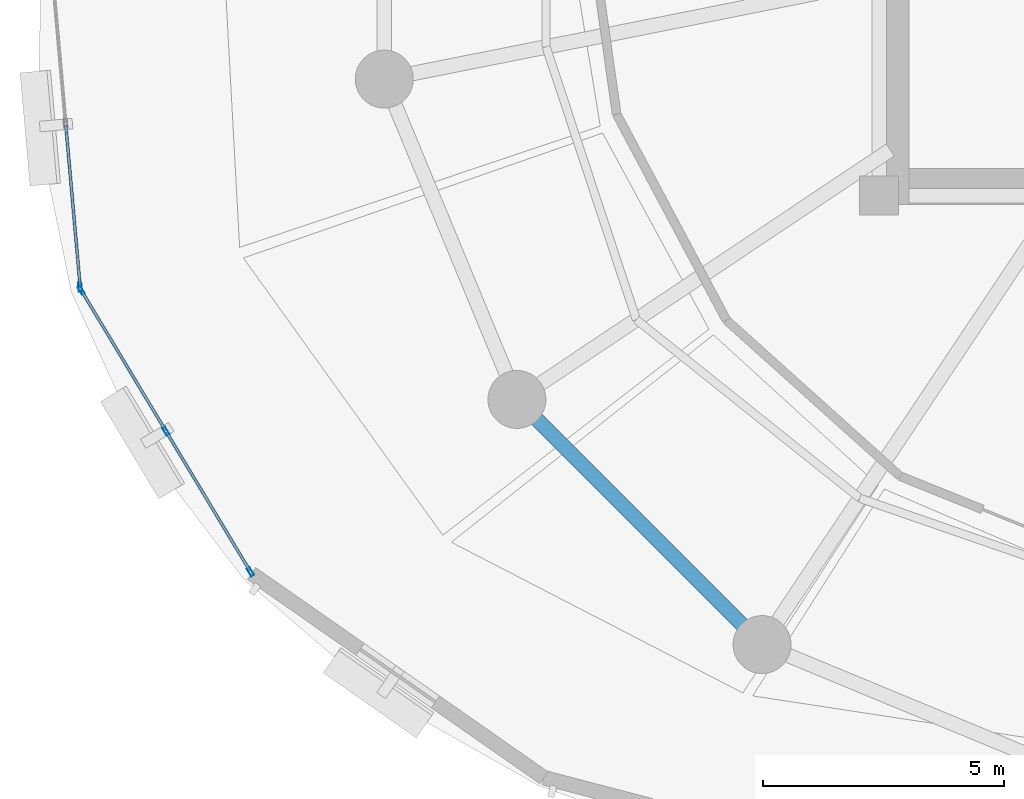
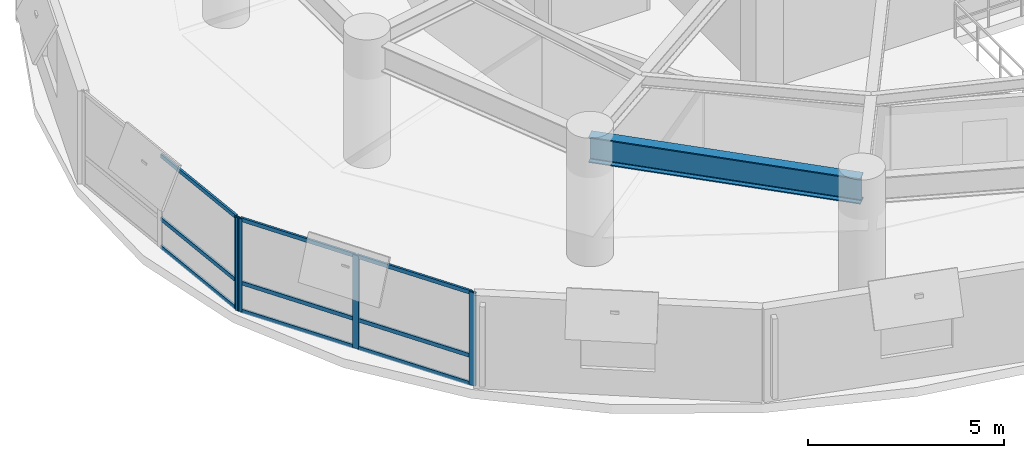
# One storey, part 2 of 15: 13 members, 1 beam, 2 elements without a shape of their own.
"""IFC4 building model written with IfcOpenShell, lengths in metres."""

from ifc_helpers import new_model, si_unit, direction, frame, origin, origin_2d, place, context, subcontext, project, spatial, hollow_rectangle, i_section, extrude, material, layer, layer_set, material_profile, profile_set, type_object, element, aggregate, save


model = new_model("IFC4")

# Units and contexts
model_context = context("Model", 3, precision=1e-05, world=origin(), true_north=direction((0.0, 1.0)))
body_context = subcontext(model_context, "Body", "Model", "MODEL_VIEW")
ifc_project = project(units=[si_unit("LENGTHUNIT", "METRE"), si_unit("AREAUNIT", "SQUARE_METRE"), si_unit("VOLUMEUNIT", "CUBIC_METRE"), si_unit("PLANEANGLEUNIT", "RADIAN"), si_unit("MASSUNIT", "GRAM", prefix="KILO"), si_unit("THERMODYNAMICTEMPERATUREUNIT", "KELVIN"), si_unit("POWERUNIT", "WATT")], contexts=[model_context])

# Site, building, storey
site_placement = place(None, origin())
site = spatial("IfcSite", under=ifc_project, at=site_placement, CompositionType="ELEMENT")
building_placement = place(site_placement, origin())
building = spatial("IfcBuilding", under=site, at=building_placement, Name="Ocrelia Relay Tower", CompositionType="ELEMENT")
storey_placement = place(building_placement, frame((0.0, 0.0, 109.800048828125)))
storey = spatial("IfcBuildingStorey", under=building, at=storey_placement, Name="L25", CompositionType="ELEMENT", Elevation=109.800048828125)

# Beam
ifc_material_1 = material(Name="Steel S355", Category="steel")
ifc_material_profile_1 = material_profile(ifc_material_1, i_section(OverallWidth=0.300048828125, OverallDepth=0.800048828125, WebThickness=0.017578125, FlangeThickness=0.032958984375, FilletRadius=0.030029296875, at=origin_2d()), Name="HEB 800")
ifc_profile_set_1 = profile_set([ifc_material_profile_1], Name="Steel S355")
beam_type = type_object("IfcBeamType", Name="BM-HEB800", PredefinedType="BEAM", material=ifc_profile_set_1)
beam_placement = place(storey_placement, frame((18.700927734375, 15.777587890625, 3.320068359375), z_axis=(0.707106781187, -0.707106781187, 0.0), x_axis=(0.707106781187, 0.707106781187, 0.0)))
element("IfcBeam", 1, at=beam_placement, inside=storey, type_object=beam_type, Name="L25 Perimeter Spandrel Beam S10", PredefinedType="BEAM", context=body_context, shape_type="SweptSolid", body=[
    extrude(i_section(OverallWidth=0.300048828125, OverallDepth=0.800048828125, WebThickness=0.017578125, FlangeThickness=0.032958984375, FilletRadius=0.030029296875, at=origin_2d()), origin(), (0.0, 0.0, 1.0), 7.179443359375),
])

# Curtain wall, member
ifc_material_2 = material(Name="Aluminium and solar-control low-E glass", Category="aluminium")
ifc_layer = layer(ifc_material_2, 0.179931640625, Name="Aluminium and solar-control low-E glass")
ifc_layer_set = layer_set([ifc_layer], Name="Aluminium and solar-control low-E glass")
curtain_wall_type = type_object("IfcCurtainWallType", Name="CW-SYS-Z2-SWIT", PredefinedType="NOTDEFINED", material=ifc_layer_set)
curtain_wall_1_placement = place(storey_placement, origin())
curtain_wall_1 = element("IfcCurtainWall", 2, at=curtain_wall_1_placement, inside=storey, type_object=curtain_wall_type, Name="L25 Elliptical Tower Curtain Wall Bay 09", PredefinedType="NOTDEFINED")
ifc_material_3 = material(Name="Anodised bronze aluminium", Category="aluminium")
ifc_material_profile_2 = material_profile(ifc_material_3, hollow_rectangle(XDim=0.070068359375, YDim=0.179931640625, WallThickness=0.006103515625, at=origin_2d()), Name="CW-MUL-180x70")
ifc_profile_set_2 = profile_set([ifc_material_profile_2], Name="Anodised bronze aluminium")
member_type_1 = type_object("IfcMemberType", Name="CW-SYS-Z2-SWIT-MUL", PredefinedType="MULLION", material=ifc_profile_set_2)
member_1_placement = place(storey_placement, frame((9.65673828125, 18.102783203125, 0.0), z_axis=(0.0, 0.0, 1.0), x_axis=(0.996071045123, 0.088557738612, 0.0)))
member_1 = element("IfcMember", 3, at=member_1_placement, type_object=member_type_1, Name="CW-Z2 mullion 3", PredefinedType="MULLION", context=body_context, shape_type="SweptSolid", body=[
    extrude(hollow_rectangle(XDim=0.070068359375, YDim=0.179931640625, WallThickness=0.006103515625, at=origin_2d()), origin(), (0.0, 0.0, 1.0), 2.89990234375),
])

# Curtain wall, members
curtain_wall_2_placement = place(storey_placement, origin())
curtain_wall_2 = element("IfcCurtainWall", 4, at=curtain_wall_2_placement, inside=storey, type_object=curtain_wall_type, Name="L25 Elliptical Tower Curtain Wall Bay 10", PredefinedType="NOTDEFINED")
member_2_placement = place(storey_placement, frame((9.677978515625, 18.037841796875, 0.0), z_axis=(0.0, 0.0, 1.0), x_axis=(0.856997416901, 0.51532070347, 0.0)))
member_2 = element("IfcMember", 5, at=member_2_placement, type_object=member_type_1, Name="CW-Z2 mullion 1", PredefinedType="MULLION", context=body_context, shape_type="SweptSolid", body=[
    extrude(hollow_rectangle(XDim=0.070068359375, YDim=0.179931640625, WallThickness=0.006103515625, at=origin_2d()), origin(), (0.0, 0.0, 1.0), 2.89990234375),
])
member_3_placement = place(storey_placement, frame((11.432373046875, 15.120361328125, 0.0), z_axis=(0.0, 0.0, 1.0), x_axis=(0.856997416901, 0.51532070347, 0.0)))
member_3 = element("IfcMember", 6, at=member_3_placement, type_object=member_type_1, Name="CW-Z2 mullion 2", PredefinedType="MULLION", context=body_context, shape_type="SweptSolid", body=[
    extrude(hollow_rectangle(XDim=0.070068359375, YDim=0.179931640625, WallThickness=0.006103515625, at=origin_2d()), origin(), (0.0, 0.0, 1.0), 2.89990234375),
])
member_4_placement = place(storey_placement, frame((13.186767578125, 12.20263671875, 0.0), z_axis=(0.0, 0.0, 1.0), x_axis=(0.856997416901, 0.51532070347, 0.0)))
member_4 = element("IfcMember", 7, at=member_4_placement, type_object=member_type_1, Name="CW-Z2 mullion 3", PredefinedType="MULLION", context=body_context, shape_type="SweptSolid", body=[
    extrude(hollow_rectangle(XDim=0.070068359375, YDim=0.179931640625, WallThickness=0.006103515625, at=origin_2d()), origin(), (0.0, 0.0, 1.0), 2.89990234375),
])

# Member
ifc_material_profile_3 = material_profile(ifc_material_3, hollow_rectangle(XDim=0.06005859375, YDim=0.1201171875, WallThickness=0.0048828125, at=origin_2d()), Name="CW-TRN-120x60")
ifc_profile_set_3 = profile_set([ifc_material_profile_3], Name="Anodised bronze aluminium")
member_type_2 = type_object("IfcMemberType", Name="CW-SYS-Z2-SWIT-TRN", PredefinedType="USERDEFINED", material=ifc_profile_set_3)
member_5_placement = place(storey_placement, frame((9.3583984375, 21.458984375, 0.030029296875), z_axis=(0.0885946773, -0.996067760323, 0.0), x_axis=(0.996067760323, 0.0885946773, 0.0)))
member_5 = element("IfcMember", 8, at=member_5_placement, type_object=member_type_2, Name="CW-Z2 transom 2.1", ObjectType="TRANSOM", PredefinedType="USERDEFINED", context=body_context, shape_type="SweptSolid", body=[
    extrude(hollow_rectangle(XDim=0.06005859375, YDim=0.1201171875, WallThickness=0.0048828125, at=origin_2d()), origin(), (0.0, 0.0, 1.0), 3.33447265625),
])

member_6_placement = place(storey_placement, frame((9.3583984375, 21.458984375, 0.89990234375), z_axis=(0.0885946773, -0.996067760323, 0.0), x_axis=(0.996067760323, 0.0885946773, 0.0)))
member_6 = element("IfcMember", 9, at=member_6_placement, type_object=member_type_2, Name="CW-Z2 transom 2.2", ObjectType="TRANSOM", PredefinedType="USERDEFINED", context=body_context, shape_type="SweptSolid", body=[
    extrude(hollow_rectangle(XDim=0.06005859375, YDim=0.1201171875, WallThickness=0.0048828125, at=origin_2d()), origin(), (0.0, 0.0, 1.0), 3.33447265625),
])

member_7_placement = place(storey_placement, frame((9.3583984375, 21.458984375, 2.869873046875), z_axis=(0.0885946773, -0.996067760323, 0.0), x_axis=(0.996067760323, 0.0885946773, 0.0)))
member_7 = element("IfcMember", 10, at=member_7_placement, type_object=member_type_2, Name="CW-Z2 transom 2.3", ObjectType="TRANSOM", PredefinedType="USERDEFINED", context=body_context, shape_type="SweptSolid", body=[
    extrude(hollow_rectangle(XDim=0.06005859375, YDim=0.1201171875, WallThickness=0.0048828125, at=origin_2d()), origin(), (0.0, 0.0, 1.0), 3.33447265625),
])

aggregate(curtain_wall_1, [member_1, member_5, member_6, member_7])

member_8_placement = place(storey_placement, frame((9.696044921875, 18.0078125, 0.030029296875), z_axis=(0.515303070577, -0.857008019481, 0.0), x_axis=(0.857008019481, 0.515303070577, 0.0)))
member_8 = element("IfcMember", 11, at=member_8_placement, type_object=member_type_2, Name="CW-Z2 transom 1.1", ObjectType="TRANSOM", PredefinedType="USERDEFINED", context=body_context, shape_type="SweptSolid", body=[
    extrude(hollow_rectangle(XDim=0.06005859375, YDim=0.1201171875, WallThickness=0.0048828125, at=origin_2d()), origin(), (0.0, 0.0, 1.0), 3.33447265625),
])

member_9_placement = place(storey_placement, frame((9.696044921875, 18.0078125, 0.89990234375), z_axis=(0.515303070577, -0.857008019481, 0.0), x_axis=(0.857008019481, 0.515303070577, 0.0)))
member_9 = element("IfcMember", 12, at=member_9_placement, type_object=member_type_2, Name="CW-Z2 transom 1.2", ObjectType="TRANSOM", PredefinedType="USERDEFINED", context=body_context, shape_type="SweptSolid", body=[
    extrude(hollow_rectangle(XDim=0.06005859375, YDim=0.1201171875, WallThickness=0.0048828125, at=origin_2d()), origin(), (0.0, 0.0, 1.0), 3.33447265625),
])

member_10_placement = place(storey_placement, frame((9.696044921875, 18.0078125, 2.869873046875), z_axis=(0.515303070577, -0.857008019481, 0.0), x_axis=(0.857008019481, 0.515303070577, 0.0)))
member_10 = element("IfcMember", 13, at=member_10_placement, type_object=member_type_2, Name="CW-Z2 transom 1.3", ObjectType="TRANSOM", PredefinedType="USERDEFINED", context=body_context, shape_type="SweptSolid", body=[
    extrude(hollow_rectangle(XDim=0.06005859375, YDim=0.1201171875, WallThickness=0.0048828125, at=origin_2d()), origin(), (0.0, 0.0, 1.0), 3.33447265625),
])

member_11_placement = place(storey_placement, frame((11.450439453125, 15.09033203125, 0.030029296875), z_axis=(0.515303070577, -0.857008019481, 0.0), x_axis=(0.857008019481, 0.515303070577, 0.0)))
member_11 = element("IfcMember", 14, at=member_11_placement, type_object=member_type_2, Name="CW-Z2 transom 2.1", ObjectType="TRANSOM", PredefinedType="USERDEFINED", context=body_context, shape_type="SweptSolid", body=[
    extrude(hollow_rectangle(XDim=0.06005859375, YDim=0.1201171875, WallThickness=0.0048828125, at=origin_2d()), origin(), (0.0, 0.0, 1.0), 3.33447265625),
])

member_12_placement = place(storey_placement, frame((11.450439453125, 15.09033203125, 0.89990234375), z_axis=(0.515303070577, -0.857008019481, 0.0), x_axis=(0.857008019481, 0.515303070577, 0.0)))
member_12 = element("IfcMember", 15, at=member_12_placement, type_object=member_type_2, Name="CW-Z2 transom 2.2", ObjectType="TRANSOM", PredefinedType="USERDEFINED", context=body_context, shape_type="SweptSolid", body=[
    extrude(hollow_rectangle(XDim=0.06005859375, YDim=0.1201171875, WallThickness=0.0048828125, at=origin_2d()), origin(), (0.0, 0.0, 1.0), 3.33447265625),
])

member_13_placement = place(storey_placement, frame((11.450439453125, 15.09033203125, 2.869873046875), z_axis=(0.515303070577, -0.857008019481, 0.0), x_axis=(0.857008019481, 0.515303070577, 0.0)))
member_13 = element("IfcMember", 16, at=member_13_placement, type_object=member_type_2, Name="CW-Z2 transom 2.3", ObjectType="TRANSOM", PredefinedType="USERDEFINED", context=body_context, shape_type="SweptSolid", body=[
    extrude(hollow_rectangle(XDim=0.06005859375, YDim=0.1201171875, WallThickness=0.0048828125, at=origin_2d()), origin(), (0.0, 0.0, 1.0), 3.33447265625),
])

aggregate(curtain_wall_2, [member_2, member_3, member_4, member_8, member_9, member_10, member_11, member_12, member_13])

save(model, "model.ifc")
